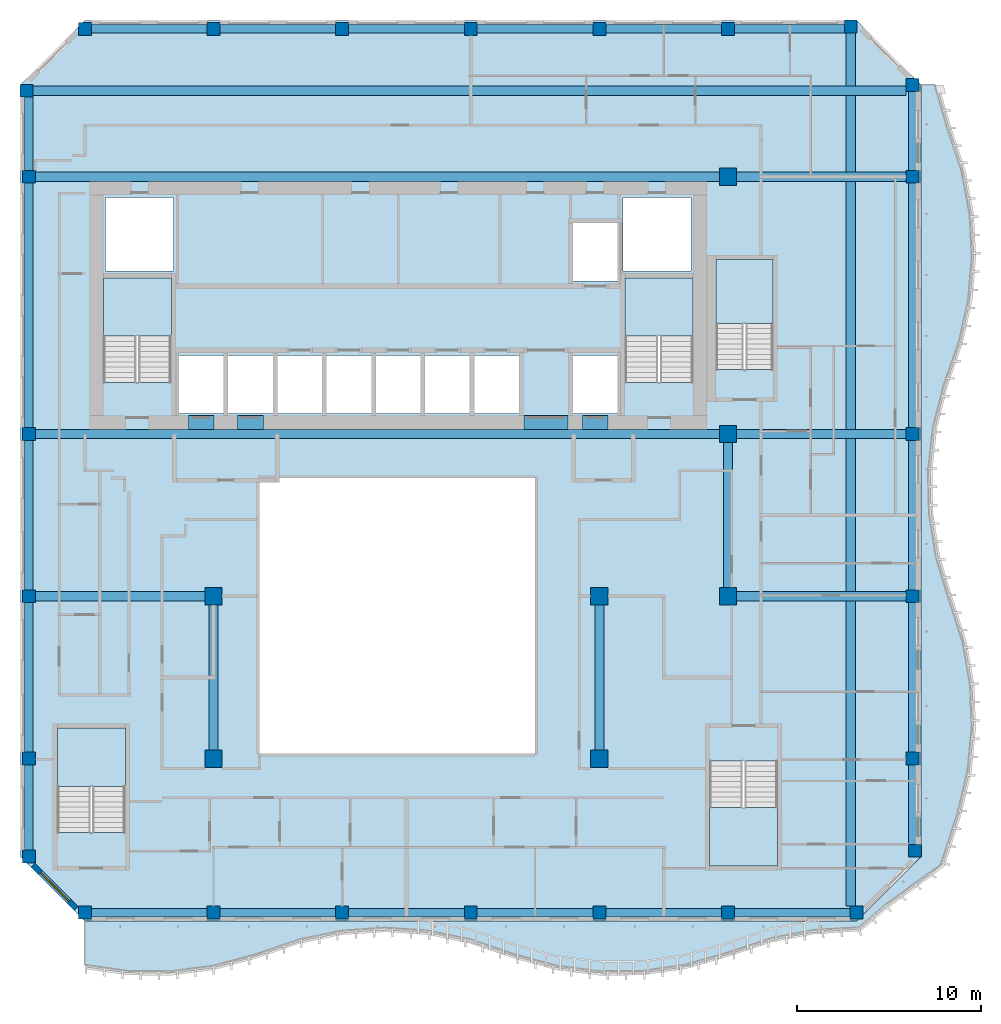
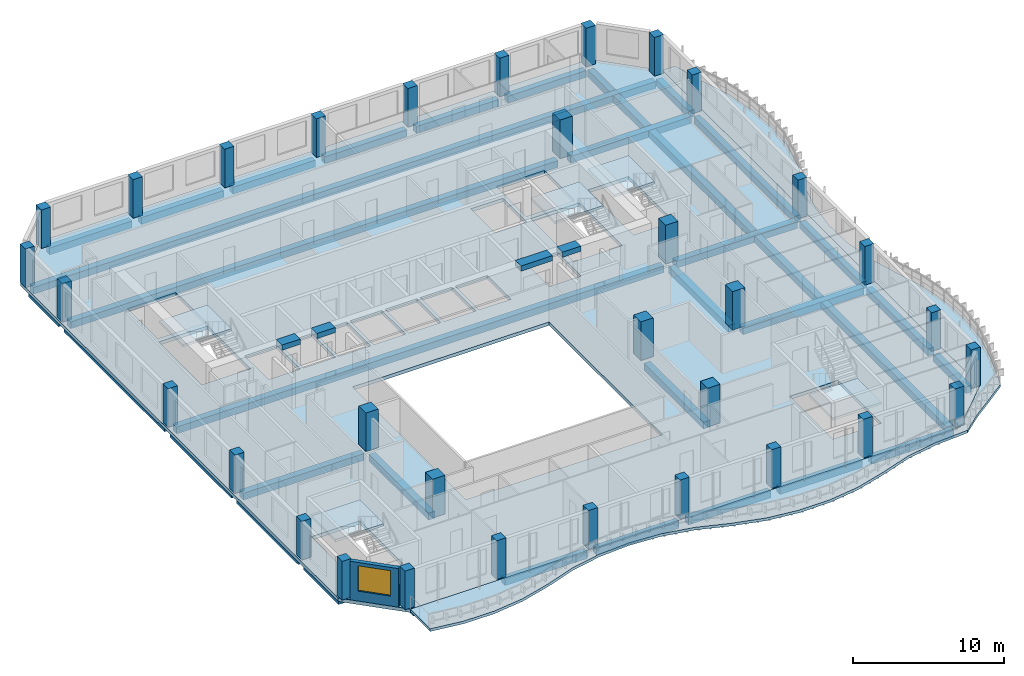
# One storey, part 1 of 18: 37 beams, 33 columns, 7 slabs, 1 wall, 1 window, 1 opening, 5 elements without a shape of their own.
"""IFC4 building model written with IfcOpenShell, lengths in metres."""

from ifc_helpers import new_model, si_unit, direction, frame, frame_2d, origin, origin_2d, place, context, subcontext, project, spatial, polyline, rectangle, outline, extrude, source, transform, mapped, material, layer, layer_set, material_profile, profile_set, type_object, element, fill, aggregate, save


model = new_model("IFC4")

# Units and contexts
model_context = context("Model", 3, precision=1e-05, world=origin(), true_north=direction((0.0, 1.0)))
body_context = subcontext(model_context, "Body", "Model", "MODEL_VIEW")
ifc_project = project(units=[si_unit("LENGTHUNIT", "METRE"), si_unit("AREAUNIT", "SQUARE_METRE"), si_unit("VOLUMEUNIT", "CUBIC_METRE"), si_unit("PLANEANGLEUNIT", "RADIAN"), si_unit("MASSUNIT", "GRAM", prefix="KILO")], contexts=[model_context])

# Site, building, storey
site_placement = place(None, origin())
site = spatial("IfcSite", under=ifc_project, at=site_placement, CompositionType="ELEMENT")
building_placement = place(site_placement, origin())
building = spatial("IfcBuilding", under=site, at=building_placement, Name="Kilnfold Tower and Market Hall", CompositionType="ELEMENT")
storey_placement = place(building_placement, frame((0.0, 0.0, 249.199951171875)))
storey = spatial("IfcBuildingStorey", under=building, at=storey_placement, Name="L60", CompositionType="ELEMENT", Elevation=249.199951171875)

# Columns
ifc_material_1 = material(Name="Concrete C60", Category="concrete")
ifc_material_profile_1 = material_profile(ifc_material_1, rectangle(XDim=0.699951171875, YDim=0.699951171875, at=origin_2d()), Name="RC 700x700")
ifc_profile_set_1 = profile_set([ifc_material_profile_1], Name="Concrete C60")
column_type_1 = type_object("IfcColumnType", Name="COLUMN 700X700 C60", PredefinedType="COLUMN", material=ifc_profile_set_1)
shared_shape_1 = source(origin(), body_context, "Body", "SweptSolid", [
    extrude(rectangle(XDim=0.699951171875, YDim=0.699951171875, at=origin_2d()), origin(), (0.0, 0.0, 1.0), 3.1201171875),
])
for number, where, z_axis, x_axis, name in (
    (1, (-19.181884765625, 26.681884765625, 0.0), (0.0, 0.0, 1.0), (1.0, 0.0, 0.0), "Column C-B7-1G"),
    (2, (-19.050048828125, -15.0, 0.0), (0.0, 0.0, 1.0), (1.0, 0.0, 0.0), "Column C-B7-1B"),
    (3, (-19.050048828125, -9.666748046875, 0.0), (0.0, 0.0, 1.0), (1.0, 0.0, 0.0), "Column C-B7-1C"),
    (4, (-19.050048828125, -0.833251953125, 0.0), (0.0, 0.0, 1.0), (1.0, 0.0, 0.0), "Column C-B7-1D"),
    (5, (-19.050048828125, 8.0, 0.0), (0.0, 0.0, 1.0), (1.0, 0.0, 0.0), "Column C-B7-1E"),
    (6, (-19.050048828125, 22.0, 0.0), (0.0, 0.0, 1.0), (1.0, 0.0, 0.0), "Column C-B7-1F"),
    (7, (-16.0, -18.050048828125, 0.0), (0.0, 0.0, 1.0), (1.0, 0.0, 0.0), "Column C-B7-2A"),
    (8, (-16.0, 30.050048828125, 0.0), (0.0, 0.0, 1.0), (1.0, 0.0, 0.0), "Column C-B7-2H"),
    (9, (-9.0, -18.050048828125, 0.0), (0.0, 0.0, 1.0), (1.0, 0.0, 0.0), "Column C-B7-3A"),
    (10, (-9.0, 30.050048828125, 0.0), (0.0, 0.0, 1.0), (1.0, 0.0, 0.0), "Column C-B7-3H"),
    (11, (-2.0, -18.050048828125, 0.0), (0.0, 0.0, 1.0), (1.0, 0.0, 0.0), "Column C-B7-4A"),
    (12, (-2.0, 30.050048828125, 0.0), (0.0, 0.0, 1.0), (1.0, 0.0, 0.0), "Column C-B7-4H"),
    (13, (5.0, -18.050048828125, 0.0), (0.0, 0.0, 1.0), (1.0, 0.0, 0.0), "Column C-B7-5A"),
    (14, (5.0, 30.050048828125, 0.0), (0.0, 0.0, 1.0), (1.0, 0.0, 0.0), "Column C-B7-5H"),
    (15, (12.0, -18.050048828125, 0.0), (0.0, 0.0, 1.0), (1.0, 0.0, 0.0), "Column C-B7-6A"),
    (16, (12.0, 30.050048828125, 0.0), (0.0, 0.0, 1.0), (1.0, 0.0, 0.0), "Column C-B7-6H"),
    (17, (19.0, -18.050048828125, 0.0), (0.0, 0.0, 1.0), (1.0, 0.0, 0.0), "Column C-B7-7A"),
    (18, (19.0, 30.050048828125, 0.0), (0.0, 0.0, 1.0), (1.0, 0.0, 0.0), "Column C-B7-7H"),
    (19, (25.681884765625, 30.181884765625, 0.0), (0.0, 0.0, 1.0), (1.0, 0.0, 0.0), "Column C-B7-8H"),
    (20, (26.0, -18.050048828125, 0.0), (0.0, 0.0, 1.0), (1.0, 0.0, 0.0), "Column C-B7-8A"),
    (21, (29.050048828125, -9.666748046875, 0.0), (0.0, 0.0, 1.0), (1.0, 0.0, 0.0), "Column C-B7-9C"),
    (22, (29.050048828125, -0.833251953125, 0.0), (0.0, 0.0, 1.0), (1.0, 0.0, 0.0), "Column C-B7-9D"),
    (23, (29.050048828125, 8.0, 0.0), (0.0, 0.0, 1.0), (1.0, 0.0, 0.0), "Column C-B7-9E"),
    (24, (29.050048828125, 22.0, 0.0), (0.0, 0.0, 1.0), (1.0, 0.0, 0.0), "Column C-B7-9F"),
    (25, (29.050048828125, 27.0, 0.0), (0.0, 0.0, 1.0), (1.0, 0.0, 0.0), "Column C-B7-9G"),
    (26, (29.181884765625, -14.681884765625, 0.0), (0.0, 0.0, 1.0), (1.0, 0.0, 0.0), "Column C-B7-9B"),
):
    element("IfcColumn", number, at=place(storey_placement, frame(where, z_axis=z_axis, x_axis=x_axis)), inside=storey, type_object=column_type_1, Name=name, PredefinedType="COLUMN", context=body_context, shape_type="MappedRepresentation", body=[
        mapped(shared_shape_1, transform((0.0, 0.0, 0.0))),
    ])
ifc_material_2 = material(Name="Concrete C60", Category="concrete")
ifc_material_profile_2 = material_profile(ifc_material_2, rectangle(XDim=0.949951171875, YDim=0.949951171875, at=origin_2d()), Name="RC 950x950")
ifc_profile_set_2 = profile_set([ifc_material_profile_2], Name="Concrete C60")
column_type_2 = type_object("IfcColumnType", Name="COLUMN 950X950 C60", PredefinedType="COLUMN", material=ifc_profile_set_2)
shared_shape_2 = source(origin(), body_context, "Body", "SweptSolid", [
    extrude(rectangle(XDim=0.949951171875, YDim=0.949951171875, at=origin_2d()), origin(), (0.0, 0.0, 1.0), 3.1201171875),
])
for number, where, z_axis, x_axis, name in (
    (27, (-9.0, -9.666748046875, 0.0), (0.0, 0.0, 1.0), (1.0, 0.0, 0.0), "Column C-B7-3C"),
    (28, (-9.0, -0.833251953125, 0.0), (0.0, 0.0, 1.0), (1.0, 0.0, 0.0), "Column C-B7-3D"),
    (29, (12.0, -9.666748046875, 0.0), (0.0, 0.0, 1.0), (1.0, 0.0, 0.0), "Column C-B7-6C"),
    (30, (12.0, -0.833251953125, 0.0), (0.0, 0.0, 1.0), (1.0, 0.0, 0.0), "Column C-B7-6D"),
    (31, (19.0, -0.833251953125, 0.0), (0.0, 0.0, 1.0), (1.0, 0.0, 0.0), "Column C-B7-7D"),
    (32, (19.0, 8.0, 0.0), (0.0, 0.0, 1.0), (1.0, 0.0, 0.0), "Column C-B7-7E"),
    (33, (19.0, 22.0, 0.0), (0.0, 0.0, 1.0), (1.0, 0.0, 0.0), "Column C-B7-7F"),
):
    element("IfcColumn", number, at=place(storey_placement, frame(where, z_axis=z_axis, x_axis=x_axis)), inside=storey, type_object=column_type_2, Name=name, PredefinedType="COLUMN", context=body_context, shape_type="MappedRepresentation", body=[
        mapped(shared_shape_2, transform((0.0, 0.0, 0.0))),
    ])

# Beams
ifc_material_3 = material(Name="Concrete C60", Category="concrete")
ifc_material_profile_3 = material_profile(ifc_material_3, rectangle(XDim=0.75, YDim=0.419921875, at=origin_2d()), Name="RC 750x420")
ifc_profile_set_3 = profile_set([ifc_material_profile_3], Name="Concrete C60")
beam_type_1 = type_object("IfcBeamType", Name="COUPLING BEAM 750X420 C60", PredefinedType="BEAM", material=ifc_profile_set_3)
shared_shape_3 = source(origin(), body_context, "Body", "SweptSolid", [
    extrude(rectangle(XDim=0.75, YDim=0.419921875, at=origin_2d()), origin(), (0.0, 0.0, 1.0), 1.400146484375),
])
beam_1_placement = place(storey_placement, frame((-10.3701171875, 8.625, 2.91015625), z_axis=(1.0, 0.0, 0.0), x_axis=(0.0, 1.0, 0.0)))
element("IfcBeam", 34, at=beam_1_placement, inside=storey, type_object=beam_type_1, Name="Coupling beam CB420-60-CORE.34", PredefinedType="BEAM", context=body_context, shape_type="MappedRepresentation", body=[
    mapped(shared_shape_3, transform((0.0, 0.0, 0.0))),
])
shared_shape_4 = source(origin(), body_context, "Body", "SweptSolid", [
    extrude(rectangle(XDim=0.75, YDim=0.419921875, at=origin_2d()), origin(), (0.0, 0.0, 1.0), 1.39990234375),
])
for number, where, z_axis, x_axis, name in (
    (35, (-7.68994140625, 8.625, 2.91015625), (1.0, 0.0, 0.0), (0.0, 1.0, 0.0), "Coupling beam CB420-60-CORE.35"),
    (36, (11.070068359375, 8.625, 2.91015625), (1.0, 0.0, 0.0), (0.0, 1.0, 0.0), "Coupling beam CB420-60-CORE.37"),
):
    element("IfcBeam", number, at=place(storey_placement, frame(where, z_axis=z_axis, x_axis=x_axis)), inside=storey, type_object=beam_type_1, Name=name, PredefinedType="BEAM", context=body_context, shape_type="MappedRepresentation", body=[
        mapped(shared_shape_4, transform((0.0, 0.0, 0.0))),
    ])
shared_shape_5 = source(origin(), body_context, "Body", "SweptSolid", [
    extrude(rectangle(XDim=0.75, YDim=0.419921875, at=origin_2d()), origin(), (0.0, 0.0, 1.0), 2.400146484375),
])
beam_2_placement = place(storey_placement, frame((7.889892578125, 8.625, 2.91015625), z_axis=(1.0, 0.0, 0.0), x_axis=(0.0, 1.0, 0.0)))
element("IfcBeam", 37, at=beam_2_placement, inside=storey, type_object=beam_type_1, Name="Coupling beam CB420-60-CORE.36", PredefinedType="BEAM", context=body_context, shape_type="MappedRepresentation", body=[
    mapped(shared_shape_5, transform((0.0, 0.0, 0.0))),
])
ifc_material_4 = material(Name="Concrete C45", Category="concrete")
ifc_material_profile_4 = material_profile(ifc_material_4, rectangle(XDim=0.449951171875, YDim=0.550048828125, at=origin_2d()), Name="RC 450x550")
ifc_profile_set_4 = profile_set([ifc_material_profile_4], Name="Concrete C45")
beam_type_2 = type_object("IfcBeamType", Name="EDGE BEAM 450X550 C45", PredefinedType="BEAM", material=ifc_profile_set_4)
shared_shape_6 = source(origin(), body_context, "Body", "SweptSolid", [
    extrude(rectangle(XDim=0.449951171875, YDim=0.550048828125, at=origin_2d()), origin(), (0.0, 0.0, 1.0), 13.2998046875),
])
for number, where, z_axis, x_axis, name in (
    (38, (-19.050048828125, 8.35009765625, -0.554931640625), (0.0, 1.0, 0.0), (-1.0, 0.0, 0.0), "Beam EB550-B7.50"),
    (39, (29.050048828125, 8.35009765625, -0.554931640625), (0.0, 1.0, 0.0), (-1.0, 0.0, 0.0), "Beam EB550-B7.58"),
):
    element("IfcBeam", number, at=place(storey_placement, frame(where, z_axis=z_axis, x_axis=x_axis)), inside=storey, type_object=beam_type_2, Name=name, PredefinedType="BEAM", context=body_context, shape_type="MappedRepresentation", body=[
        mapped(shared_shape_6, transform((0.0, 0.0, 0.0))),
    ])
shared_shape_7 = source(origin(), body_context, "Body", "SweptSolid", [
    extrude(rectangle(XDim=0.449951171875, YDim=0.550048828125, at=origin_2d()), origin(), (0.0, 0.0, 1.0), 6.2998046875),
])
for number, where, z_axis, x_axis, name in (
    (40, (-15.64990234375, -18.050048828125, -0.554931640625), (1.0, 0.0, 0.0), (0.0, 1.0, 0.0), "Beam EB550-B7.59"),
    (41, (-8.64990234375, -18.050048828125, -0.554931640625), (1.0, 0.0, 0.0), (0.0, 1.0, 0.0), "Beam EB550-B7.60"),
    (42, (-1.64990234375, -18.050048828125, -0.554931640625), (1.0, 0.0, 0.0), (0.0, 1.0, 0.0), "Beam EB550-B7.61"),
    (43, (5.35009765625, -18.050048828125, -0.554931640625), (1.0, 0.0, 0.0), (0.0, 1.0, 0.0), "Beam EB550-B7.62"),
    (44, (12.35009765625, -18.050048828125, -0.554931640625), (1.0, 0.0, 0.0), (0.0, 1.0, 0.0), "Beam EB550-B7.63"),
    (45, (19.35009765625, -18.050048828125, -0.554931640625), (1.0, 0.0, 0.0), (0.0, 1.0, 0.0), "Beam EB550-B7.64"),
    (46, (-15.64990234375, 30.050048828125, -0.554931640625), (1.0, 0.0, 0.0), (0.0, 1.0, 0.0), "Beam EB550-B7.72"),
    (47, (-8.64990234375, 30.050048828125, -0.554931640625), (1.0, 0.0, 0.0), (0.0, 1.0, 0.0), "Beam EB550-B7.73"),
    (48, (-1.64990234375, 30.050048828125, -0.554931640625), (1.0, 0.0, 0.0), (0.0, 1.0, 0.0), "Beam EB550-B7.74"),
    (49, (5.35009765625, 30.050048828125, -0.554931640625), (1.0, 0.0, 0.0), (0.0, 1.0, 0.0), "Beam EB550-B7.75"),
    (50, (12.35009765625, 30.050048828125, -0.554931640625), (1.0, 0.0, 0.0), (0.0, 1.0, 0.0), "Beam EB550-B7.76"),
):
    element("IfcBeam", number, at=place(storey_placement, frame(where, z_axis=z_axis, x_axis=x_axis)), inside=storey, type_object=beam_type_2, Name=name, PredefinedType="BEAM", context=body_context, shape_type="MappedRepresentation", body=[
        mapped(shared_shape_7, transform((0.0, 0.0, 0.0))),
    ])
ifc_material_5 = material(Name="Concrete C45", Category="concrete")
ifc_material_profile_5 = material_profile(ifc_material_5, rectangle(XDim=0.5, YDim=0.550048828125, at=origin_2d()), Name="RC 500x550")
ifc_profile_set_5 = profile_set([ifc_material_profile_5], Name="Concrete C45")
beam_type_3 = type_object("IfcBeamType", Name="BEAM 500X550 C45", PredefinedType="BEAM", material=ifc_profile_set_5)
shared_shape_8 = source(origin(), body_context, "Body", "SweptSolid", [
    extrude(rectangle(XDim=0.5, YDim=0.550048828125, at=origin_2d()), origin(), (0.0, 0.0, 1.0), 9.224853515625),
])
for number, where, z_axis, x_axis, name in (
    (51, (-18.699951171875, -0.830078125, -0.554931640625), (1.0, 0.0, 0.0), (0.0, 1.0, 0.0), "Beam BB550-B7.65"),
    (52, (19.47509765625, -0.830078125, -0.554931640625), (1.0, 0.0, 0.0), (0.0, 1.0, 0.0), "Beam BB550-B7.66"),
    (53, (19.47509765625, 8.0, -0.554931640625), (1.0, 0.0, 0.0), (0.0, 1.0, 0.0), "Beam BB550-B7.68"),
    (54, (19.47509765625, 22.0, -0.554931640625), (1.0, 0.0, 0.0), (0.0, 1.0, 0.0), "Beam BB550-B7.70"),
):
    element("IfcBeam", number, at=place(storey_placement, frame(where, z_axis=z_axis, x_axis=x_axis)), inside=storey, type_object=beam_type_3, Name=name, PredefinedType="BEAM", context=body_context, shape_type="MappedRepresentation", body=[
        mapped(shared_shape_8, transform((0.0, 0.0, 0.0))),
    ])
shared_shape_9 = source(origin(), body_context, "Body", "SweptSolid", [
    extrude(rectangle(XDim=0.5, YDim=0.550048828125, at=origin_2d()), origin(), (0.0, 0.0, 1.0), 37.224853515625),
])
for number, where, z_axis, x_axis, name in (
    (55, (-18.699951171875, 8.0, -0.554931640625), (1.0, 0.0, 0.0), (0.0, 1.0, 0.0), "Beam BB550-B7.67"),
    (56, (-18.699951171875, 22.0, -0.554931640625), (1.0, 0.0, 0.0), (0.0, 1.0, 0.0), "Beam BB550-B7.69"),
):
    element("IfcBeam", number, at=place(storey_placement, frame(where, z_axis=z_axis, x_axis=x_axis)), inside=storey, type_object=beam_type_3, Name=name, PredefinedType="BEAM", context=body_context, shape_type="MappedRepresentation", body=[
        mapped(shared_shape_9, transform((0.0, 0.0, 0.0))),
    ])
shared_shape_10 = source(origin(), body_context, "Body", "SweptSolid", [
    extrude(rectangle(XDim=0.5, YDim=0.550048828125, at=origin_2d()), origin(), (0.0, 0.0, 1.0), 47.53173828125),
])
for number, where, z_axis, x_axis, name in (
    (57, (-18.831787109375, 26.679931640625, -0.554931640625), (1.0, 0.0, 0.0), (0.0, 1.0, 0.0), "Beam BB550-B7.71"),
    (58, (25.679931640625, -17.699951171875, -0.554931640625), (0.0, 1.0, 0.0), (-1.0, 0.0, 0.0), "Beam BB550-B7.85"),
):
    element("IfcBeam", number, at=place(storey_placement, frame(where, z_axis=z_axis, x_axis=x_axis)), inside=storey, type_object=beam_type_3, Name=name, PredefinedType="BEAM", context=body_context, shape_type="MappedRepresentation", body=[
        mapped(shared_shape_10, transform((0.0, 0.0, 0.0))),
    ])
shared_shape_11 = source(origin(), body_context, "Body", "SweptSolid", [
    extrude(rectangle(XDim=0.449951171875, YDim=0.550048828125, at=origin_2d()), origin(), (0.0, 0.0, 1.0), 5.981689453125),
])
beam_3_placement = place(storey_placement, frame((19.35009765625, 30.050048828125, -0.554931640625), z_axis=(1.0, 0.0, 0.0), x_axis=(0.0, 1.0, 0.0)))
element("IfcBeam", 59, at=beam_3_placement, inside=storey, type_object=beam_type_2, Name="Beam EB550-B7.77", PredefinedType="BEAM", context=body_context, shape_type="MappedRepresentation", body=[
    mapped(shared_shape_11, transform((0.0, 0.0, 0.0))),
])
shared_shape_12 = source(origin(), body_context, "Body", "SweptSolid", [
    extrude(rectangle(XDim=0.449951171875, YDim=0.550048828125, at=origin_2d()), origin(), (0.0, 0.0, 1.0), 4.63330078125),
])
beam_4_placement = place(storey_placement, frame((-19.050048828125, -14.64990234375, -0.554931640625), z_axis=(0.0, 1.0, 0.0), x_axis=(-1.0, 0.0, 0.0)))
element("IfcBeam", 60, at=beam_4_placement, inside=storey, type_object=beam_type_2, Name="Beam EB550-B7.78", PredefinedType="BEAM", context=body_context, shape_type="MappedRepresentation", body=[
    mapped(shared_shape_12, transform((0.0, 0.0, 0.0))),
])
shared_shape_13 = source(origin(), body_context, "Body", "SweptSolid", [
    extrude(rectangle(XDim=0.449951171875, YDim=0.550048828125, at=origin_2d()), origin(), (0.0, 0.0, 1.0), 8.13330078125),
])
for number, where, z_axis, x_axis, name in (
    (61, (-19.050048828125, -9.316650390625, -0.554931640625), (0.0, 1.0, 0.0), (-1.0, 0.0, 0.0), "Beam EB550-B7.79"),
    (62, (-19.050048828125, -0.4833984375, -0.554931640625), (0.0, 1.0, 0.0), (-1.0, 0.0, 0.0), "Beam EB550-B7.80"),
    (63, (29.050048828125, -9.316650390625, -0.554931640625), (0.0, 1.0, 0.0), (-1.0, 0.0, 0.0), "Beam EB550-B7.87"),
    (64, (29.050048828125, -0.4833984375, -0.554931640625), (0.0, 1.0, 0.0), (-1.0, 0.0, 0.0), "Beam EB550-B7.88"),
):
    element("IfcBeam", number, at=place(storey_placement, frame(where, z_axis=z_axis, x_axis=x_axis)), inside=storey, type_object=beam_type_2, Name=name, PredefinedType="BEAM", context=body_context, shape_type="MappedRepresentation", body=[
        mapped(shared_shape_13, transform((0.0, 0.0, 0.0))),
    ])
shared_shape_14 = source(origin(), body_context, "Body", "SweptSolid", [
    extrude(rectangle(XDim=0.449951171875, YDim=0.550048828125, at=origin_2d()), origin(), (0.0, 0.0, 1.0), 3.981689453125),
])
beam_5_placement = place(storey_placement, frame((-19.050048828125, 22.35009765625, -0.554931640625), z_axis=(0.0, 1.0, 0.0), x_axis=(-1.0, 0.0, 0.0)))
element("IfcBeam", 65, at=beam_5_placement, inside=storey, type_object=beam_type_2, Name="Beam EB550-B7.81", PredefinedType="BEAM", context=body_context, shape_type="MappedRepresentation", body=[
    mapped(shared_shape_14, transform((0.0, 0.0, 0.0))),
])
shared_shape_15 = source(origin(), body_context, "Body", "SweptSolid", [
    extrude(rectangle(XDim=0.5, YDim=0.550048828125, at=origin_2d()), origin(), (0.0, 0.0, 1.0), 7.88330078125),
])
for number, where, z_axis, x_axis, name in (
    (66, (-9.0, -9.191650390625, -0.554931640625), (0.0, 1.0, 0.0), (-1.0, 0.0, 0.0), "Beam BB550-B7.82"),
    (67, (12.0, -9.191650390625, -0.554931640625), (0.0, 1.0, 0.0), (-1.0, 0.0, 0.0), "Beam BB550-B7.83"),
    (68, (19.0, -0.3583984375, -0.554931640625), (0.0, 1.0, 0.0), (-1.0, 0.0, 0.0), "Beam BB550-B7.84"),
):
    element("IfcBeam", number, at=place(storey_placement, frame(where, z_axis=z_axis, x_axis=x_axis)), inside=storey, type_object=beam_type_3, Name=name, PredefinedType="BEAM", context=body_context, shape_type="MappedRepresentation", body=[
        mapped(shared_shape_15, transform((0.0, 0.0, 0.0))),
    ])
shared_shape_16 = source(origin(), body_context, "Body", "SweptSolid", [
    extrude(rectangle(XDim=0.449951171875, YDim=0.550048828125, at=origin_2d()), origin(), (0.0, 0.0, 1.0), 4.315185546875),
])
beam_6_placement = place(storey_placement, frame((29.050048828125, -14.331787109375, -0.554931640625), z_axis=(0.0, 1.0, 0.0), x_axis=(-1.0, 0.0, 0.0)))
element("IfcBeam", 69, at=beam_6_placement, inside=storey, type_object=beam_type_2, Name="Beam EB550-B7.86", PredefinedType="BEAM", context=body_context, shape_type="MappedRepresentation", body=[
    mapped(shared_shape_16, transform((0.0, 0.0, 0.0))),
])
shared_shape_17 = source(origin(), body_context, "Body", "SweptSolid", [
    extrude(rectangle(XDim=0.449951171875, YDim=0.550048828125, at=origin_2d()), origin(), (0.0, 0.0, 1.0), 4.2998046875),
])
beam_7_placement = place(storey_placement, frame((29.050048828125, 22.35009765625, -0.554931640625), z_axis=(0.0, 1.0, 0.0), x_axis=(-1.0, 0.0, 0.0)))
element("IfcBeam", 70, at=beam_7_placement, inside=storey, type_object=beam_type_2, Name="Beam EB550-B7.89", PredefinedType="BEAM", context=body_context, shape_type="MappedRepresentation", body=[
    mapped(shared_shape_17, transform((0.0, 0.0, 0.0))),
])

# Slabs
ifc_material_6 = material(Name="Concrete C45", Category="concrete")
ifc_layer_1 = layer(ifc_material_6, 0.280029296875)
ifc_layer_set_1 = layer_set([ifc_layer_1], Name="Concrete C45")
slab_type_1 = type_object("IfcSlabType", Name="FLOOR SLAB 280", PredefinedType="FLOOR", material=ifc_layer_set_1)
shared_shape_18 = source(origin(), body_context, "Body", "SweptSolid", [
    extrude(outline(polyline([(-16.0, -18.5), (26.0, -18.5), (29.5, -15.0), (29.5, 27.0), (26.0, 30.5), (-16.0, 30.5), (-19.5, 27.0), (-19.5, -15.0), (-16.0, -18.5)]), holes=[polyline([(-13.800537109375, -13.699462890625), (-17.49951171875, -13.699462890625), (-17.49951171875, -8.00048828125), (-13.800537109375, -8.00048828125), (-13.800537109375, -13.699462890625)]), polyline([(-11.300537109375, 10.800537109375), (-14.99951171875, 10.800537109375), (-14.99951171875, 16.49951171875), (-11.300537109375, 16.49951171875), (-11.300537109375, 10.800537109375)]), polyline([(-11.175048828125, 16.875), (-14.875, 16.875), (-14.875, 20.875), (-11.175048828125, 20.875), (-11.175048828125, 16.875)]), polyline([(-8.455078125, 9.125), (-10.885009765625, 9.125), (-10.885009765625, 12.27490234375), (-8.455078125, 12.27490234375), (-8.455078125, 9.125)]), polyline([(-5.77490234375, 9.125), (-8.205078125, 9.125), (-8.205078125, 12.27490234375), (-5.77490234375, 12.27490234375), (-5.77490234375, 9.125)]), polyline([(8.5, -9.39990234375), (-6.5, -9.39990234375), (-6.5, 5.60009765625), (8.5, 5.60009765625), (8.5, -9.39990234375)]), polyline([(-3.094970703125, 9.125), (-5.52490234375, 9.125), (-5.52490234375, 12.27490234375), (-3.094970703125, 12.27490234375), (-3.094970703125, 9.125)]), polyline([(-0.4150390625, 9.125), (-2.844970703125, 9.125), (-2.844970703125, 12.27490234375), (-0.4150390625, 12.27490234375), (-0.4150390625, 9.125)]), polyline([(2.264892578125, 9.125), (-0.1650390625, 9.125), (-0.1650390625, 12.27490234375), (2.264892578125, 12.27490234375), (2.264892578125, 9.125)]), polyline([(4.945068359375, 9.125), (2.514892578125, 9.125), (2.514892578125, 12.27490234375), (4.945068359375, 12.27490234375), (4.945068359375, 9.125)]), polyline([(7.625, 9.125), (5.195068359375, 9.125), (5.195068359375, 12.27490234375), (7.625, 12.27490234375), (7.625, 9.125)]), polyline([(12.985107421875, 9.125), (10.554931640625, 9.125), (10.554931640625, 12.27490234375), (12.985107421875, 12.27490234375), (12.985107421875, 9.125)]), polyline([(10.554931640625, 16.324951171875), (10.554931640625, 19.47509765625), (12.985107421875, 19.47509765625), (12.985107421875, 16.324951171875), (10.554931640625, 16.324951171875)]), polyline([(13.27490234375, 16.875), (13.27490234375, 20.875), (16.97509765625, 20.875), (16.97509765625, 16.875), (13.27490234375, 16.875)]), polyline([(17.099609375, 10.800537109375), (13.400390625, 10.800537109375), (13.400390625, 16.49951171875), (17.099609375, 16.49951171875), (17.099609375, 10.800537109375)]), polyline([(18.00048828125, -9.800537109375), (21.699462890625, -9.800537109375), (21.699462890625, -15.49951171875), (18.00048828125, -15.49951171875), (18.00048828125, -9.800537109375)]), polyline([(21.449462890625, 11.50048828125), (18.3505859375, 11.50048828125), (18.3505859375, 17.49951171875), (21.449462890625, 17.49951171875), (21.449462890625, 11.50048828125)])]), origin(), (0.0, 0.0, 1.0), 0.280029296875),
])
slab_1_placement = place(storey_placement, frame((0.0, 0.0, -0.280029296875)))
element("IfcSlab", 71, at=slab_1_placement, inside=storey, type_object=slab_type_1, Name="Floor slab L60", PredefinedType="FLOOR", context=body_context, shape_type="MappedRepresentation", body=[
    mapped(shared_shape_18, transform((0.0, 0.0, 0.0))),
])
ifc_material_7 = material(Name="Concrete C40/50", Category="concrete")
ifc_layer_2 = layer(ifc_material_7, 0.219970703125)
ifc_layer_set_2 = layer_set([ifc_layer_2], Name="Concrete C40/50")
slab_type_2 = type_object("IfcSlabType", Name="BALCONY SLAB 220", PredefinedType="FLOOR", material=ifc_layer_set_2)
shared_shape_19 = source(origin(), body_context, "Body", "SweptSolid", [
    extrude(outline(polyline([(-16.0, -18.5), (26.0, -18.5), (29.5, -15.0), (29.5, 27.0), (30.482421875, 27.0), (31.152587890625, 24.666748046875), (31.9326171875, 22.333251953125), (32.375732421875, 20.0), (32.498046875, 17.666748046875), (32.306396484375, 15.333251953125), (31.789794921875, 13.0), (30.974609375, 10.666748046875), (30.381103515625, 8.333251953125), (30.11767578125, 6.0), (30.169189453125, 3.666748046875), (30.538330078125, 1.333251953125), (31.246826171875, -1.0), (31.99658203125, -3.333251953125), (32.404296875, -5.666748046875), (32.49267578125, -8.0), (32.2666015625, -10.333251953125), (31.71337890625, -12.666748046875), (30.78759765625, -15.533203125), (29.015625, -16.84912109375), (27.664306640625, -17.830810546875), (26.230224609375, -19.055908203125), (23.666748046875, -19.225341796875), (21.333251953125, -19.669677734375), (19.0, -20.450439453125), (16.666748046875, -21.119384765625), (14.333251953125, -21.452392578125), (12.0, -21.468505859375), (9.666748046875, -21.169189453125), (7.333251953125, -20.537109375), (5.0, -19.735595703125), (2.666748046875, -19.25634765625), (0.333251953125, -19.10009765625), (-2.0, -19.257568359375), (-4.333251953125, -19.73779296875), (-6.666748046875, -20.5400390625), (-9.0, -21.1708984375), (-11.333251953125, -21.46923828125), (-13.666748046875, -21.45166015625), (-16.0, -21.117431640625), (-16.0, -18.5)])), origin(), (0.0, 0.0, 1.0), 0.219970703125),
])
slab_2_placement = place(storey_placement, frame((0.0, 0.0, -0.219970703125)))
element("IfcSlab", 72, at=slab_2_placement, inside=storey, type_object=slab_type_2, Name="Balcony slab L60", PredefinedType="FLOOR", context=body_context, shape_type="MappedRepresentation", body=[
    mapped(shared_shape_19, transform((0.0, 0.0, 0.0))),
])

# Stair, slab
ifc_material_8 = material(Name="Concrete C40/50", Category="concrete")
stair_type_1 = type_object("IfcStairType", Name="CORE STAIR 1800", PredefinedType="HALF_TURN_STAIR", material=ifc_material_8)
stair_1_placement = place(storey_placement, origin())
stair_1 = element("IfcStair", 73, at=stair_1_placement, inside=storey, type_object=stair_type_1, Name="L60 ST1", PredefinedType="HALF_TURN_STAIR")
ifc_material_9 = material(Name="Concrete C40/50", Category="concrete")
ifc_layer_3 = layer(ifc_material_9, 0.199951171875)
ifc_layer_set_3 = layer_set([ifc_layer_3], Name="Concrete C40/50")
slab_type_3 = type_object("IfcSlabType", Name="CORE STAIR LANDING 200", PredefinedType="LANDING", material=ifc_layer_set_3)
shared_shape_20 = source(origin(), body_context, "Body", "SweptSolid", [
    extrude(outline(polyline([(-11.300048828125, 13.320068359375), (-11.300048828125, 16.5), (-15.0, 16.5), (-15.0, 13.320068359375), (-11.300048828125, 13.320068359375)])), origin(), (0.0, 0.0, 1.0), 0.199951171875),
])
slab_3_placement = place(storey_placement, frame((0.0, 0.0, 1.5)))
slab_3 = element("IfcSlab", 74, at=slab_3_placement, type_object=slab_type_3, Name="ST1 landing 1", PredefinedType="LANDING", context=body_context, shape_type="MappedRepresentation", body=[
    mapped(shared_shape_20, transform((0.0, 0.0, 0.0))),
])
aggregate(stair_1, [slab_3])

stair_2_placement = place(storey_placement, origin())
stair_2 = element("IfcStair", 75, at=stair_2_placement, inside=storey, type_object=stair_type_1, Name="L60 ST2", PredefinedType="HALF_TURN_STAIR")
shared_shape_21 = source(origin(), body_context, "Body", "SweptSolid", [
    extrude(outline(polyline([(17.10009765625, 13.320068359375), (17.10009765625, 16.5), (13.39990234375, 16.5), (13.39990234375, 13.320068359375), (17.10009765625, 13.320068359375)])), origin(), (0.0, 0.0, 1.0), 0.199951171875),
])
slab_4_placement = place(storey_placement, frame((0.0, 0.0, 1.5)))
slab_4 = element("IfcSlab", 76, at=slab_4_placement, type_object=slab_type_3, Name="ST2 landing 1", PredefinedType="LANDING", context=body_context, shape_type="MappedRepresentation", body=[
    mapped(shared_shape_21, transform((0.0, 0.0, 0.0))),
])
aggregate(stair_2, [slab_4])

stair_3_placement = place(storey_placement, origin())
stair_3 = element("IfcStair", 77, at=stair_3_placement, inside=storey, type_object=stair_type_1, Name="L60 ST3", PredefinedType="HALF_TURN_STAIR")
shared_shape_22 = source(origin(), body_context, "Body", "SweptSolid", [
    extrude(outline(polyline([(-13.800048828125, -11.179931640625), (-13.800048828125, -8.0), (-17.5, -8.0), (-17.5, -11.179931640625), (-13.800048828125, -11.179931640625)])), origin(), (0.0, 0.0, 1.0), 0.199951171875),
])
slab_5_placement = place(storey_placement, frame((0.0, 0.0, 1.5)))
slab_5 = element("IfcSlab", 78, at=slab_5_placement, type_object=slab_type_3, Name="ST3 landing 1", PredefinedType="LANDING", context=body_context, shape_type="MappedRepresentation", body=[
    mapped(shared_shape_22, transform((0.0, 0.0, 0.0))),
])
aggregate(stair_3, [slab_5])

stair_4_placement = place(storey_placement, origin())
stair_4 = element("IfcStair", 79, at=stair_4_placement, inside=storey, type_object=stair_type_1, Name="L60 ST4", PredefinedType="HALF_TURN_STAIR")
shared_shape_23 = source(origin(), body_context, "Body", "SweptSolid", [
    extrude(outline(polyline([(18.0, -12.320068359375), (18.0, -15.5), (21.699951171875, -15.5), (21.699951171875, -12.320068359375), (18.0, -12.320068359375)])), origin(), (0.0, 0.0, 1.0), 0.199951171875),
])
slab_6_placement = place(storey_placement, frame((0.0, 0.0, 1.5)))
slab_6 = element("IfcSlab", 80, at=slab_6_placement, type_object=slab_type_3, Name="ST4 landing 1", PredefinedType="LANDING", context=body_context, shape_type="MappedRepresentation", body=[
    mapped(shared_shape_23, transform((0.0, 0.0, 0.0))),
])
aggregate(stair_4, [slab_6])

ifc_material_10 = material(Name="Concrete C40/50", Category="concrete")
stair_type_2 = type_object("IfcStairType", Name="CORE STAIR 1500", PredefinedType="HALF_TURN_STAIR", material=ifc_material_10)
stair_5_placement = place(storey_placement, origin())
stair_5 = element("IfcStair", 81, at=stair_5_placement, inside=storey, type_object=stair_type_2, Name="L60 ST5", PredefinedType="HALF_TURN_STAIR")
shared_shape_24 = source(origin(), body_context, "Body", "SweptSolid", [
    extrude(outline(polyline([(21.449951171875, 14.02001953125), (21.449951171875, 17.5), (18.35009765625, 17.5), (18.35009765625, 14.02001953125), (21.449951171875, 14.02001953125)])), origin(), (0.0, 0.0, 1.0), 0.199951171875),
])
slab_7_placement = place(storey_placement, frame((0.0, 0.0, 1.5)))
slab_7 = element("IfcSlab", 82, at=slab_7_placement, type_object=slab_type_3, Name="ST5 landing 1", PredefinedType="LANDING", context=body_context, shape_type="MappedRepresentation", body=[
    mapped(shared_shape_24, transform((0.0, 0.0, 0.0))),
])
aggregate(stair_5, [slab_7])

# Wall, opening, window
ifc_material_11 = material(Name="Precast concrete C50/60", Category="concrete")
ifc_layer_4 = layer(ifc_material_11, 0.300048828125)
ifc_layer_set_4 = layer_set([ifc_layer_4], Name="Precast concrete C50/60")
wall_type = type_object("IfcWallType", Name="PRECAST WALL 300", PredefinedType="SOLIDWALL", material=ifc_layer_set_4)
shared_shape_25 = source(origin(), body_context, "Body", "SweptSolid", [
    extrude(rectangle(XDim=3.323486328125, YDim=0.300048828125, at=frame_2d((1.66162109375, 0.0))), origin(), (0.0, 0.0, 1.0), 3.1201171875),
])
wall_placement = place(storey_placement, frame((-18.81884765625, -15.468994140625, 0.0), z_axis=(0.0, 0.0, 1.0), x_axis=(0.707070049321, -0.707143511144, 0.0)))
wall = element("IfcWall", 83, at=wall_placement, inside=storey, type_object=wall_type, Name="External wall L60 SW", PredefinedType="SOLIDWALL", context=body_context, shape_type="MappedRepresentation", body=[
    mapped(shared_shape_25, transform((0.0, 0.0, 0.0))),
])
opening_placement = place(wall_placement, frame((0.561767578125, 0.0, 0.800048828125)))
opening = element("IfcOpeningElement", 84, at=opening_placement, cuts=wall, Name="Opening W3", PredefinedType="OPENING", context=body_context, shape_type="SweptSolid", body=[
    extrude(rectangle(XDim=2.199951171875, YDim=2.050048828125, at=frame_2d((1.10009765625, 1.02490234375))), frame((0.0, 0.16015625, 0.0), z_axis=(0.0, -1.0, 0.0), x_axis=(1.0, 0.0, 0.0)), (0.0, 0.0, 1.0), 0.320068359375),
])
ifc_material_12 = material(Name="Aluminium frame and double glazing", Category="aluminium")
window_type = type_object("IfcWindowType", Name="WINDOW W3 2200X2050", PartitioningType="SINGLE_PANEL", PredefinedType="WINDOW", material=ifc_material_12)
window_placement = place(opening_placement, origin())
window = element("IfcWindow", 85, at=window_placement, inside=storey, type_object=window_type, Name="Window W3 L60 SW-1", OverallHeight=2.050048828125, OverallWidth=2.199951171875, PartitioningType="SINGLE_PANEL", PredefinedType="WINDOW", context=body_context, shape_type="SweptSolid", body=[
    extrude(rectangle(XDim=2.199951171875, YDim=2.050048828125, at=frame_2d((1.10009765625, 1.02490234375))), frame((0.0, 0.030029296875, 0.0), z_axis=(0.0, -1.0, 0.0), x_axis=(1.0, 0.0, 0.0)), (0.0, 0.0, 1.0), 0.06005859375),
])
fill(opening, window)

save(model, "model.ifc")
